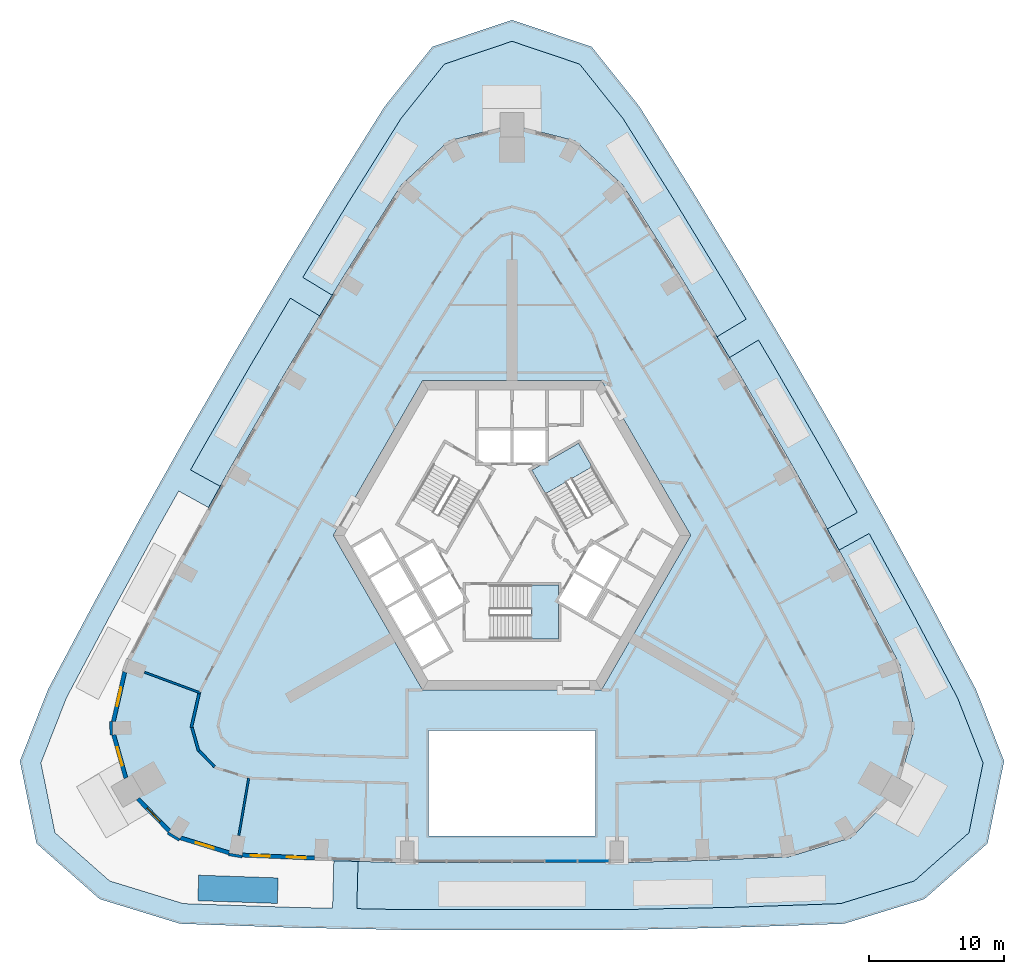
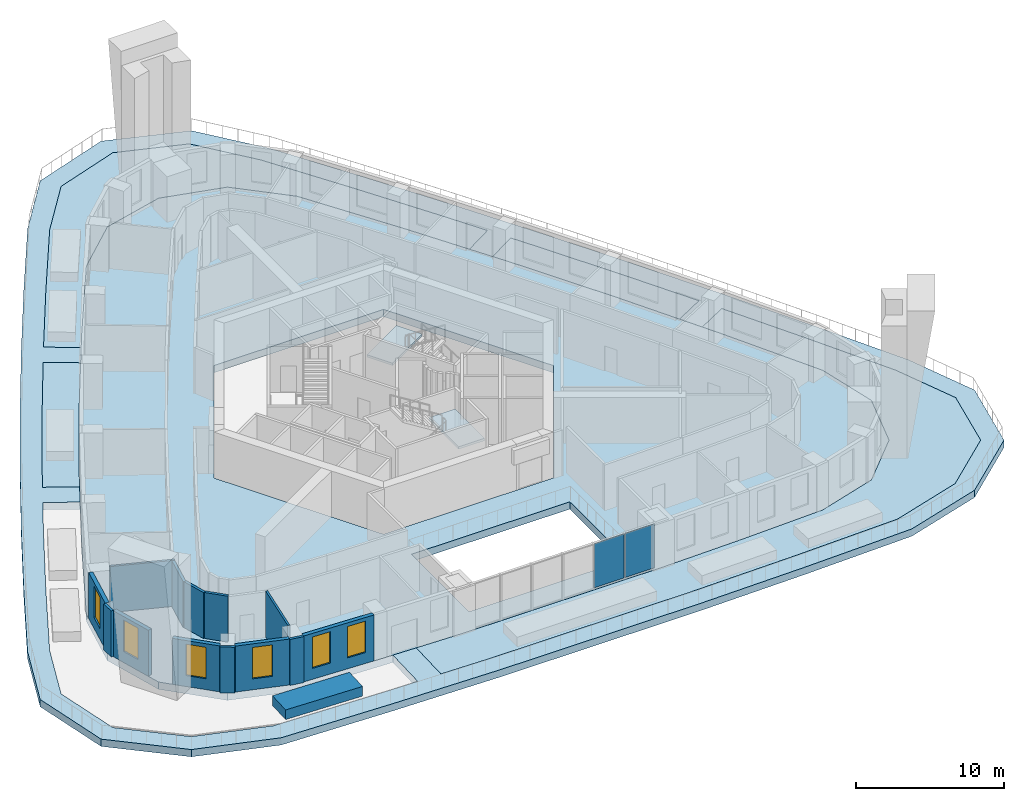
# One storey, part 3 of 13: 14 walls, 8 slabs, 6 windows, 2 plates, 6 openings, 3 elements without a shape of their own.
"""IFC4 building model written with IfcOpenShell, lengths in metres."""

from ifc_helpers import new_model, si_unit, direction, frame, frame_2d, origin, origin_2d, place, context, subcontext, project, spatial, polyline, rectangle, outline, extrude, material, layer, layer_set, type_object, element, fill, aggregate, save


model = new_model("IFC4")

# Units and contexts
model_context = context("Model", 3, precision=1e-05, world=origin(), true_north=direction((0.0, 1.0)))
body_context = subcontext(model_context, "Body", "Model", "MODEL_VIEW")
ifc_project = project(units=[si_unit("LENGTHUNIT", "METRE"), si_unit("AREAUNIT", "SQUARE_METRE"), si_unit("VOLUMEUNIT", "CUBIC_METRE"), si_unit("PLANEANGLEUNIT", "RADIAN"), si_unit("MASSUNIT", "GRAM", prefix="KILO")], contexts=[model_context])

# Site, building, storey
site_placement = place(None, origin())
site = spatial("IfcSite", under=ifc_project, at=site_placement, CompositionType="ELEMENT")
building_placement = place(site_placement, origin())
building = spatial("IfcBuilding", under=site, at=building_placement, Name="Entoto Arch Interchange Tower", CompositionType="ELEMENT")
storey_placement = place(building_placement, frame((0.0, 0.0, 189.800048828125)))
storey = spatial("IfcBuildingStorey", under=building, at=storey_placement, Name="L42", CompositionType="ELEMENT", Elevation=189.800048828125)

# Stair, slab
ifc_material_1 = material(Name="Concrete C40/50", Category="concrete")
stair_type = type_object("IfcStairType", Name="EXIT STAIR RC 1800", PredefinedType="HALF_TURN_STAIR", material=ifc_material_1)
stair_1_placement = place(storey_placement, origin())
stair_1 = element("IfcStair", 1, at=stair_1_placement, inside=storey, type_object=stair_type, Name="L42 Exit stair S", PredefinedType="HALF_TURN_STAIR")
ifc_layer_1 = layer(ifc_material_1, 0.199951171875)
ifc_layer_set_1 = layer_set([ifc_layer_1], Name="Concrete C40/50")
slab_type_1 = type_object("IfcSlabType", Name="EXIT STAIR LANDING RC 200", PredefinedType="LANDING", material=ifc_layer_set_1)
slab_1_placement = place(storey_placement, frame((0.0, 0.0, 1.89990234375)))
slab_1 = element("IfcSlab", 2, at=slab_1_placement, type_object=slab_type_1, Name="ST-S landing 1", PredefinedType="LANDING", context=body_context, shape_type="SweptSolid", body=[
    extrude(outline(polyline([(1.429931640625, -5.199951171875), (3.449951171875, -5.199951171875), (3.449951171875, -1.199951171875), (1.429931640625, -1.199951171875), (1.429931640625, -5.199951171875)])), origin(), (0.0, 0.0, 1.0), 0.199951171875),
])
aggregate(stair_1, [slab_1])

stair_2_placement = place(storey_placement, origin())
stair_2 = element("IfcStair", 3, at=stair_2_placement, inside=storey, type_object=stair_type, Name="L42 Exit stair NE", PredefinedType="HALF_TURN_STAIR")
slab_2_placement = place(storey_placement, frame((0.0, 0.0, 1.89990234375)))
slab_2 = element("IfcSlab", 4, at=slab_2_placement, type_object=slab_type_1, Name="ST-NE landing 1", PredefinedType="LANDING", context=body_context, shape_type="SweptSolid", body=[
    extrude(outline(polyline([(5.953369140625, 7.58837890625), (4.943359375, 9.337890625), (1.479248046875, 7.337890625), (2.4892578125, 5.58837890625), (5.953369140625, 7.58837890625)])), origin(), (0.0, 0.0, 1.0), 0.199951171875),
])
aggregate(stair_2, [slab_2])

# Curtain wall, plates
ifc_material_2 = material(Name="Aluminium, anodised", Category="aluminium")
curtain_wall_type = type_object("IfcCurtainWallType", Name="CURTAIN WALL ATRIUM", PredefinedType="NOTDEFINED", material=ifc_material_2)
curtain_wall_placement = place(storey_placement, origin())
curtain_wall = element("IfcCurtainWall", 5, at=curtain_wall_placement, inside=storey, type_object=curtain_wall_type, Name="Atrium glazing S-03 L42", PredefinedType="NOTDEFINED")
ifc_material_3 = material(Name="Clear glass, low-e double glazed", Category="glass")
ifc_layer_2 = layer(ifc_material_3, 0.031982421875)
ifc_layer_set_2 = layer_set([ifc_layer_2], Name="Clear glass, low-e double glazed")
plate_type = type_object("IfcPlateType", Name="GLAZING PANEL ATRIUM 32", PredefinedType="CURTAIN_PANEL", material=ifc_layer_set_2)
plate_1_placement = place(storey_placement, frame((3.6494140625, -21.701904296875, 0.080078125), z_axis=(0.0, 0.0, 1.0), x_axis=(1.0, 0.0, 0.0)))
plate_1 = element("IfcPlate", 6, at=plate_1_placement, type_object=plate_type, Name="CWA panel 5.1", PredefinedType="CURTAIN_PANEL", context=body_context, shape_type="SweptSolid", body=[
    extrude(rectangle(XDim=2.3330078125, YDim=0.031982421875, at=origin_2d()), origin(), (0.0, 0.0, 1.0), 3.639892578125),
])
plate_2_placement = place(storey_placement, frame((6.0576171875, -21.701904296875, 0.080078125), z_axis=(0.0, 0.0, 1.0), x_axis=(1.0, 0.0, 0.0)))
plate_2 = element("IfcPlate", 7, at=plate_2_placement, type_object=plate_type, Name="CWA panel 6.1", PredefinedType="CURTAIN_PANEL", context=body_context, shape_type="SweptSolid", body=[
    extrude(rectangle(XDim=2.282958984375, YDim=0.031982421875, at=origin_2d()), origin(), (0.0, 0.0, 1.0), 3.639892578125),
])
aggregate(curtain_wall, [plate_1, plate_2])

# Slabs
ifc_layer_3 = layer(ifc_material_1, 0.60009765625)
ifc_layer_set_3 = layer_set([ifc_layer_3], Name="Concrete C40/50")
slab_type_2 = type_object("IfcSlabType", Name="Post-tensioned flat plate 600 C40/50", PredefinedType="FLOOR", material=ifc_layer_set_3)
slab_3_placement = place(storey_placement, frame((0.0, 0.0, -0.60009765625)))
element("IfcSlab", 8, at=slab_3_placement, inside=storey, type_object=slab_type_2, Name="Floor slab L42", PredefinedType="FLOOR", context=body_context, shape_type="SweptSolid", body=[
    extrude(outline(polyline([(-20.569091796875, -21.39208984375), (-14.18505859375, -21.658935546875), (-7.800048828125, -21.826904296875), (7.800048828125, -21.826904296875), (14.18505859375, -21.658935546875), (20.569091796875, -21.39208984375), (25.197021484375, -19.967041015625), (28.5791015625, -16.5), (29.889892578125, -11.837890625), (28.81103515625, -7.116943359375), (24.97998046875, 0.16796875), (21.006103515625, 7.3759765625), (16.89111328125, 14.50390625), (12.635009765625, 21.549072265625), (8.241943359375, 28.510009765625), (4.693115234375, 31.804931640625), (0.0, 33.0), (-4.693115234375, 31.804931640625), (-8.241943359375, 28.510009765625), (-12.635009765625, 21.549072265625), (-16.89111328125, 14.50390625), (-21.006103515625, 7.3759765625), (-24.97998046875, 0.16796875), (-28.81103515625, -7.116943359375), (-29.889892578125, -11.837890625), (-28.5791015625, -16.5), (-25.197021484375, -19.967041015625), (-20.569091796875, -21.39208984375)]), holes=[polyline([(6.199951171875, -19.826904296875), (6.199951171875, -12.0), (-6.199951171875, -12.0), (-6.199951171875, -19.826904296875), (6.199951171875, -19.826904296875)]), polyline([(13.279052734375, 2.5), (6.639892578125, 14.0), (-6.639892578125, 14.0), (-13.279052734375, 2.5), (-6.639892578125, -9.0), (6.639892578125, -9.0), (13.279052734375, 2.5)])]), origin(), (0.0, 0.0, 1.0), 0.60009765625),
])
ifc_layer_4 = layer(ifc_material_1, 0.60009765625)
ifc_layer_set_4 = layer_set([ifc_layer_4], Name="Concrete C40/50")
slab_type_3 = type_object("IfcSlabType", Name="Post-tensioned planter bed slab 600 C40/50", PredefinedType="ROOF", material=ifc_layer_set_4)
slab_4_placement = place(storey_placement, frame((0.0, 0.0, -0.60009765625)))
element("IfcSlab", 9, at=slab_4_placement, inside=storey, type_object=slab_type_3, Name="Planter bed slab L42", PredefinedType="ROOF", context=body_context, shape_type="SweptSolid", body=[
    extrude(outline(polyline([(-7.800048828125, -21.826904296875), (-11.43994140625, -21.73095703125), (-11.531982421875, -25.240966796875), (-7.784912109375, -25.31689453125), (7.784912109375, -25.31689453125), (16.193115234375, -25.14794921875), (24.4189453125, -24.864990234375), (29.89208984375, -23.18310546875), (33.9541015625, -19.60302734375), (34.9990234375, -14.412109375), (33.10595703125, -9.580078125), (29.72509765625, -3.2099609375), (26.533935546875, 2.632080078125), (24.300048828125, 1.40087890625), (24.97998046875, 0.16796875), (28.81103515625, -7.116943359375), (29.889892578125, -11.837890625), (28.5791015625, -16.5), (25.197021484375, -19.967041015625), (20.569091796875, -21.39208984375), (14.18505859375, -21.658935546875), (7.800048828125, -21.826904296875), (-7.800048828125, -21.826904296875)])), origin(), (0.0, 0.0, 1.0), 0.60009765625),
])
slab_5_placement = place(storey_placement, frame((0.0, 0.0, -0.60009765625)))
element("IfcSlab", 10, at=slab_5_placement, inside=storey, type_object=slab_type_3, Name="Planter bed slab L42", PredefinedType="ROOF", context=body_context, shape_type="SweptSolid", body=[
    extrude(outline(polyline([(23.430908203125, 2.97705078125), (25.656982421875, 4.2041015625), (22.885986328125, 9.138916015625), (19.35693359375, 15.2509765625), (18.31494140625, 17.009033203125), (16.1630859375, 15.708984375), (16.89111328125, 14.50390625), (21.006103515625, 7.3759765625), (23.430908203125, 2.97705078125)])), origin(), (0.0, 0.0, 1.0), 0.60009765625),
])
slab_6_placement = place(storey_placement, frame((0.0, 0.0, -0.60009765625)))
element("IfcSlab", 11, at=slab_6_placement, inside=storey, type_object=slab_type_3, Name="Planter bed slab L42", PredefinedType="ROOF", context=body_context, shape_type="SweptSolid", body=[
    extrude(outline(polyline([(12.635009765625, 21.549072265625), (15.23193359375, 17.2490234375), (17.39599609375, 18.556884765625), (15.756103515625, 21.321044921875), (12.0830078125, 27.34912109375), (8.2548828125, 33.4599609375), (5.01904296875, 37.514892578125), (0.0, 39.2060546875), (-5.01904296875, 37.514892578125), (-8.2548828125, 33.4599609375), (-12.0830078125, 27.34912109375), (-15.547119140625, 21.6640625), (-13.363037109375, 20.343994140625), (-12.635009765625, 21.549072265625), (-8.241943359375, 28.510009765625), (-4.693115234375, 31.804931640625), (0.0, 33.0), (4.693115234375, 31.804931640625), (8.241943359375, 28.510009765625), (12.635009765625, 21.549072265625)])), origin(), (0.0, 0.0, 1.0), 0.60009765625),
])
slab_7_placement = place(storey_placement, frame((0.0, 0.0, -0.60009765625)))
element("IfcSlab", 12, at=slab_7_placement, inside=storey, type_object=slab_type_3, Name="Planter bed slab L42", PredefinedType="ROOF", context=body_context, shape_type="SweptSolid", body=[
    extrude(outline(polyline([(-16.89111328125, 14.50390625), (-14.29296875, 18.803955078125), (-16.469970703125, 20.118896484375), (-19.35693359375, 15.2509765625), (-22.885986328125, 9.138916015625), (-23.886962890625, 7.35693359375), (-21.68603515625, 6.14306640625), (-21.006103515625, 7.3759765625), (-16.89111328125, 14.50390625)])), origin(), (0.0, 0.0, 1.0), 0.60009765625),
])
ifc_layer_5 = layer(ifc_material_1, 0.60009765625)
ifc_layer_set_5 = layer_set([ifc_layer_5], Name="Concrete C40/50")
slab_type_4 = type_object("IfcSlabType", Name="Post-tensioned terrace slab 600 C40/50", PredefinedType="FLOOR", material=ifc_layer_set_5)
slab_8_placement = place(storey_placement, frame((0.0, 0.0, -0.60009765625)))
element("IfcSlab", 13, at=slab_8_placement, inside=storey, type_object=slab_type_4, Name="Ring terrace slab L42", PredefinedType="FLOOR", context=body_context, shape_type="SweptSolid", body=[
    extrude(outline(polyline([(-16.23388671875, -26.64697265625), (-7.800048828125, -26.81689453125), (7.800048828125, -26.81689453125), (16.23388671875, -26.64697265625), (24.6689453125, -26.35693359375), (30.64111328125, -24.52197265625), (35.324951171875, -20.39404296875), (36.556884765625, -14.27490234375), (34.470947265625, -8.952880859375), (31.0458984375, -2.4990234375), (27.654052734375, 3.7119140625), (24.18994140625, 9.881103515625), (20.652099609375, 16.009033203125), (19.59912109375, 17.783935546875), (18.679931640625, 19.33203125), (17.0419921875, 22.093994140625), (13.35888671875, 28.136962890625), (9.48095703125, 34.3291015625), (5.916015625, 38.7958984375), (0.0, 40.7890625), (-5.916015625, 38.7958984375), (-9.48095703125, 34.3291015625), (-13.35888671875, 28.136962890625), (-17.0419921875, 22.093994140625), (-20.652099609375, 16.009033203125), (-24.18994140625, 9.881103515625), (-27.654052734375, 3.7119140625), (-31.0458984375, -2.4990234375), (-34.470947265625, -8.952880859375), (-36.556884765625, -14.27490234375), (-35.324951171875, -20.39404296875), (-30.64111328125, -24.52197265625), (-24.6689453125, -26.35693359375), (-16.23388671875, -26.64697265625)]), holes=[polyline([(16.193115234375, -25.14794921875), (24.4189453125, -24.864990234375), (29.89208984375, -23.18310546875), (33.9541015625, -19.60302734375), (34.9990234375, -14.412109375), (33.10595703125, -9.580078125), (29.72509765625, -3.2099609375), (26.533935546875, 2.632080078125), (24.300048828125, 1.40087890625), (23.430908203125, 2.97705078125), (25.656982421875, 4.2041015625), (22.885986328125, 9.138916015625), (19.35693359375, 15.2509765625), (18.31494140625, 17.009033203125), (16.1630859375, 15.708984375), (15.23193359375, 17.2490234375), (17.39599609375, 18.556884765625), (15.756103515625, 21.321044921875), (12.0830078125, 27.34912109375), (8.2548828125, 33.4599609375), (5.01904296875, 37.514892578125), (0.0, 39.2060546875), (-5.01904296875, 37.514892578125), (-8.2548828125, 33.4599609375), (-12.0830078125, 27.34912109375), (-15.547119140625, 21.6640625), (-13.363037109375, 20.343994140625), (-14.29296875, 18.803955078125), (-16.469970703125, 20.118896484375), (-19.35693359375, 15.2509765625), (-22.885986328125, 9.138916015625), (-23.886962890625, 7.35693359375), (-21.68603515625, 6.14306640625), (-22.554931640625, 4.56689453125), (-24.76806640625, 5.787109375), (-26.342041015625, 2.985107421875), (-29.72509765625, -3.2099609375), (-33.10595703125, -9.580078125), (-34.9990234375, -14.412109375), (-33.9541015625, -19.60302734375), (-29.89208984375, -23.18310546875), (-24.4189453125, -24.864990234375), (-16.193115234375, -25.14794921875), (-13.33203125, -25.205078125), (-13.239013671875, -21.68408203125), (-11.43994140625, -21.73095703125), (-11.531982421875, -25.240966796875), (-7.784912109375, -25.31689453125), (7.784912109375, -25.31689453125), (16.193115234375, -25.14794921875)])]), origin(), (0.0, 0.0, 1.0), 0.60009765625),
])

# Walls
ifc_material_4 = material(Name="Gypsum board partition on steel studs", Category="steel")
ifc_layer_6 = layer(ifc_material_4, 0.14990234375)
ifc_layer_set_6 = layer_set([ifc_layer_6], Name="Gypsum board partition on steel studs")
wall_type_1 = type_object("IfcWallType", Name="PARTITION 150", PredefinedType="PARTITIONING", material=ifc_layer_set_6)
wall_1_placement = place(storey_placement, frame((-23.136962890625, -9.217041015625, 0.0), z_axis=(0.0, 0.0, 1.0), x_axis=(-0.937808569806, 0.34715282859, 0.0)))
element("IfcWall", 14, at=wall_1_placement, inside=storey, type_object=wall_type_1, Name="wall:L42:p120", PredefinedType="PARTITIONING", context=body_context, shape_type="SweptSolid", body=[
    extrude(rectangle(XDim=4.4306640625, YDim=0.14990234375, at=frame_2d((2.21533203125, 0.0))), origin(), (0.0, 0.0, 1.0), 3.800048828125),
])
wall_2_placement = place(storey_placement, frame((-19.56103515625, -15.529052734375, 0.0), z_axis=(0.0, 0.0, 1.0), x_axis=(-0.169546150064, -0.98552224886, 0.0)))
element("IfcWall", 15, at=wall_2_placement, inside=storey, type_object=wall_type_1, Name="wall:L42:p121", PredefinedType="PARTITIONING", context=body_context, shape_type="SweptSolid", body=[
    extrude(rectangle(XDim=4.32861328125, YDim=0.14990234375, at=frame_2d((2.164306640625, 0.0))), origin(), (0.0, 0.0, 1.0), 3.800048828125),
])
ifc_layer_7 = layer(ifc_material_4, 0.199951171875)
ifc_layer_set_7 = layer_set([ifc_layer_7], Name="Gypsum board partition on steel studs")
wall_type_2 = type_object("IfcWallType", Name="PARTITION 200", PredefinedType="PARTITIONING", material=ifc_layer_set_7)
wall_3_placement = place(storey_placement, frame((-22.093017578125, -14.698974609375, 0.0), z_axis=(0.0, 0.0, 1.0), x_axis=(-0.698551276451, 0.715560000397, 0.0)))
element("IfcWall", 16, at=wall_3_placement, inside=storey, type_object=wall_type_2, Name="wall:L42:p060", PredefinedType="PARTITIONING", context=body_context, shape_type="SweptSolid", body=[
    extrude(rectangle(XDim=1.63623046875, YDim=0.199951171875, at=frame_2d((0.818115234375, 0.0))), origin(), (0.0, 0.0, 1.0), 3.800048828125),
])
wall_4_placement = place(storey_placement, frame((-23.279052734375, -13.552001953125, 0.0), z_axis=(0.0, 0.0, 1.0), x_axis=(-0.270522287318, 0.962713712411, 0.0)))
element("IfcWall", 17, at=wall_4_placement, inside=storey, type_object=wall_type_2, Name="wall:L42:p061", PredefinedType="PARTITIONING", context=body_context, shape_type="SweptSolid", body=[
    extrude(rectangle(XDim=1.83642578125, YDim=0.199951171875, at=frame_2d((0.918212890625, 0.0))), origin(), (0.0, 0.0, 1.0), 3.800048828125),
])
wall_5_placement = place(storey_placement, frame((-23.825927734375, -11.784912109375, 0.0), z_axis=(0.0, 0.0, 1.0), x_axis=(0.222909903746, 0.974839050722, 0.0)))
element("IfcWall", 18, at=wall_5_placement, inside=storey, type_object=wall_type_2, Name="wall:L42:p062", PredefinedType="PARTITIONING", context=body_context, shape_type="SweptSolid", body=[
    extrude(rectangle(XDim=2.570556640625, YDim=0.199951171875, at=frame_2d((1.28515625, 0.0))), origin(), (0.0, 0.0, 1.0), 3.800048828125),
])
ifc_material_5 = material(Name="Board-marked precast concrete C50/60", Category="concrete")
ifc_layer_8 = layer(ifc_material_5, 1.89990234375)
ifc_layer_set_8 = layer_set([ifc_layer_8], Name="Board-marked precast concrete C50/60")
wall_type_3 = type_object("IfcWallType", Name="PLANTER RC 1900 Juniperus procera", PredefinedType="STANDARD", material=ifc_layer_set_8)
wall_6_placement = place(storey_placement, frame((-23.31103515625, -23.701904296875, 0.0), z_axis=(0.0, 0.0, 1.0), x_axis=(0.999408891177, -0.034378310558, 0.0)))
element("IfcWall", 19, at=wall_6_placement, inside=storey, type_object=wall_type_3, Name="Terrace planter S-01 L42", PredefinedType="STANDARD", context=body_context, shape_type="SweptSolid", body=[
    extrude(rectangle(XDim=5.908447265625, YDim=1.89990234375, at=frame_2d((2.9541015625, 0.0))), origin(), (0.0, 0.0, 1.0), 0.800048828125),
])

# Wall, openings, windows
ifc_material_6 = material(Name="Welded tuff (ignimbrite) cladding, warm buff", Category="masonry")
ifc_layer_9 = layer(ifc_material_6, 0.300048828125)
ifc_layer_set_9 = layer_set([ifc_layer_9], Name="Welded tuff (ignimbrite) cladding, warm buff")
wall_type_4 = type_object("IfcWallType", Name="STONE INFILL WALL 300", PredefinedType="STANDARD", material=ifc_layer_set_9)
wall_7_placement = place(storey_placement, frame((-20.041015625, -21.263916015625, 0.0), z_axis=(0.0, 0.0, 1.0), x_axis=(0.999127941775, -0.041753514387, 0.0)))
wall_7 = element("IfcWall", 20, at=wall_7_placement, inside=storey, type_object=wall_type_4, Name="Facade wall S-01 L42", PredefinedType="STANDARD", context=body_context, shape_type="SweptSolid", body=[
    extrude(rectangle(XDim=5.36767578125, YDim=0.300048828125, at=frame_2d((2.683837890625, 0.0))), origin(), (0.0, 0.0, 1.0), 3.800048828125),
])
opening_1_placement = place(wall_7_placement, frame((0.64208984375, 0.0, 0.89990234375)))
opening_1 = element("IfcOpeningElement", 21, at=opening_1_placement, cuts=wall_7, Name="Opening WO-B", PredefinedType="OPENING", context=body_context, shape_type="SweptSolid", body=[
    extrude(rectangle(XDim=1.39990234375, YDim=2.60009765625, at=frame_2d((0.699951171875, 1.300048828125))), frame((0.0, 0.16015625, 0.0), z_axis=(0.0, -1.0, 0.0), x_axis=(1.0, 0.0, 0.0)), (0.0, 0.0, 1.0), 0.320068359375),
])
opening_2_placement = place(wall_7_placement, frame((3.325927734375, 0.0, 0.89990234375)))
opening_2 = element("IfcOpeningElement", 22, at=opening_2_placement, cuts=wall_7, Name="Opening WO-B", PredefinedType="OPENING", context=body_context, shape_type="SweptSolid", body=[
    extrude(rectangle(XDim=1.39990234375, YDim=2.60009765625, at=frame_2d((0.699951171875, 1.300048828125))), frame((0.0, 0.16015625, 0.0), z_axis=(0.0, -1.0, 0.0), x_axis=(1.0, 0.0, 0.0)), (0.0, 0.0, 1.0), 0.320068359375),
])
window_type = type_object("IfcWindowType", Name="WINDOW WO-B 1400x2600", PartitioningType="DOUBLE_PANEL_VERTICAL", PredefinedType="WINDOW", material=ifc_material_3)
window_1_placement = place(opening_1_placement, origin())
window_1 = element("IfcWindow", 23, at=window_1_placement, inside=storey, type_object=window_type, Name="Window WO-B S-01 L42", OverallHeight=2.60009765625, OverallWidth=1.39990234375, PartitioningType="SINGLE_PANEL", PredefinedType="WINDOW", context=body_context, shape_type="SweptSolid", body=[
    extrude(rectangle(XDim=1.39990234375, YDim=2.60009765625, at=frame_2d((0.699951171875, 1.300048828125))), frame((0.0, 0.030029296875, 0.0), z_axis=(0.0, -1.0, 0.0), x_axis=(1.0, 0.0, 0.0)), (0.0, 0.0, 1.0), 0.06005859375),
])
fill(opening_1, window_1)
window_2_placement = place(opening_2_placement, origin())
window_2 = element("IfcWindow", 24, at=window_2_placement, inside=storey, type_object=window_type, Name="Window WO-B S-01 L42", OverallHeight=2.60009765625, OverallWidth=1.39990234375, PartitioningType="SINGLE_PANEL", PredefinedType="WINDOW", context=body_context, shape_type="SweptSolid", body=[
    extrude(rectangle(XDim=1.39990234375, YDim=2.60009765625, at=frame_2d((0.699951171875, 1.300048828125))), frame((0.0, 0.030029296875, 0.0), z_axis=(0.0, -1.0, 0.0), x_axis=(1.0, 0.0, 0.0)), (0.0, 0.0, 1.0), 0.06005859375),
])
fill(opening_2, window_2)

# Wall, opening, window
wall_8_placement = place(storey_placement, frame((-28.781005859375, -7.659912109375, 0.0), z_axis=(0.0, 0.0, 1.0), x_axis=(-0.223013094864, -0.974815448954, 0.0)))
wall_8 = element("IfcWall", 25, at=wall_8_placement, inside=storey, type_object=wall_type_4, Name="Facade wall SW-01 L42", PredefinedType="STANDARD", context=body_context, shape_type="SweptSolid", body=[
    extrude(rectangle(XDim=3.76708984375, YDim=0.300048828125, at=frame_2d((1.883544921875, 0.0))), origin(), (0.0, 0.0, 1.0), 3.800048828125),
])
opening_3_placement = place(wall_8_placement, frame((1.18310546875, 0.0, 0.89990234375)))
opening_3 = element("IfcOpeningElement", 26, at=opening_3_placement, cuts=wall_8, Name="Opening WO-B", PredefinedType="OPENING", context=body_context, shape_type="SweptSolid", body=[
    extrude(rectangle(XDim=1.39990234375, YDim=2.60009765625, at=frame_2d((0.699951171875, 1.300048828125))), frame((0.0, 0.16015625, 0.0), z_axis=(0.0, -1.0, 0.0), x_axis=(1.0, 0.0, 0.0)), (0.0, 0.0, 1.0), 0.320068359375),
])
window_3_placement = place(opening_3_placement, origin())
window_3 = element("IfcWindow", 27, at=window_3_placement, inside=storey, type_object=window_type, Name="Window WO-B SW-01 L42", OverallHeight=2.60009765625, OverallWidth=1.39990234375, PartitioningType="SINGLE_PANEL", PredefinedType="WINDOW", context=body_context, shape_type="SweptSolid", body=[
    extrude(rectangle(XDim=1.39990234375, YDim=2.60009765625, at=frame_2d((0.699951171875, 1.300048828125))), frame((0.0, 0.030029296875, 0.0), z_axis=(0.0, -1.0, 0.0), x_axis=(1.0, 0.0, 0.0)), (0.0, 0.0, 1.0), 0.06005859375),
])
fill(opening_3, window_3)

wall_9_placement = place(storey_placement, frame((-29.595947265625, -12.330078125, 0.0), z_axis=(0.0, 0.0, 1.0), x_axis=(0.270798765166, -0.962635979374, 0.0)))
wall_9 = element("IfcWall", 28, at=wall_9_placement, inside=storey, type_object=wall_type_4, Name="Facade wall SW-02 L42", PredefinedType="STANDARD", context=body_context, shape_type="SweptSolid", body=[
    extrude(rectangle(XDim=3.3232421875, YDim=0.300048828125, at=frame_2d((1.66162109375, 0.0))), origin(), (0.0, 0.0, 1.0), 3.800048828125),
])
opening_4_placement = place(wall_9_placement, frame((0.9619140625, 0.0, 0.89990234375)))
opening_4 = element("IfcOpeningElement", 29, at=opening_4_placement, cuts=wall_9, Name="Opening WO-B", PredefinedType="OPENING", context=body_context, shape_type="SweptSolid", body=[
    extrude(rectangle(XDim=1.39990234375, YDim=2.60009765625, at=frame_2d((0.699951171875, 1.300048828125))), frame((0.0, 0.16015625, 0.0), z_axis=(0.0, -1.0, 0.0), x_axis=(1.0, 0.0, 0.0)), (0.0, 0.0, 1.0), 0.320068359375),
])
window_4_placement = place(opening_4_placement, origin())
window_4 = element("IfcWindow", 30, at=window_4_placement, inside=storey, type_object=window_type, Name="Window WO-B SW-02 L42", OverallHeight=2.60009765625, OverallWidth=1.39990234375, PartitioningType="SINGLE_PANEL", PredefinedType="WINDOW", context=body_context, shape_type="SweptSolid", body=[
    extrude(rectangle(XDim=1.39990234375, YDim=2.60009765625, at=frame_2d((0.699951171875, 1.300048828125))), frame((0.0, 0.030029296875, 0.0), z_axis=(0.0, -1.0, 0.0), x_axis=(1.0, 0.0, 0.0)), (0.0, 0.0, 1.0), 0.06005859375),
])
fill(opening_4, window_4)

wall_10_placement = place(storey_placement, frame((-27.797119140625, -17.0869140625, 0.0), z_axis=(0.0, 0.0, 1.0), x_axis=(0.698311919602, -0.71579358962, 0.0)))
wall_10 = element("IfcWall", 31, at=wall_10_placement, inside=storey, type_object=wall_type_4, Name="Facade wall SW-03 L42", PredefinedType="STANDARD", context=body_context, shape_type="SweptSolid", body=[
    extrude(rectangle(XDim=3.32373046875, YDim=0.300048828125, at=frame_2d((1.661865234375, 0.0))), origin(), (0.0, 0.0, 1.0), 3.800048828125),
])
opening_5_placement = place(wall_10_placement, frame((0.9619140625, 0.0, 0.89990234375)))
opening_5 = element("IfcOpeningElement", 32, at=opening_5_placement, cuts=wall_10, Name="Opening WO-B", PredefinedType="OPENING", context=body_context, shape_type="SweptSolid", body=[
    extrude(rectangle(XDim=1.39990234375, YDim=2.60009765625, at=frame_2d((0.699951171875, 1.300048828125))), frame((0.0, 0.16015625, 0.0), z_axis=(0.0, -1.0, 0.0), x_axis=(1.0, 0.0, 0.0)), (0.0, 0.0, 1.0), 0.320068359375),
])
window_5_placement = place(opening_5_placement, origin())
window_5 = element("IfcWindow", 33, at=window_5_placement, inside=storey, type_object=window_type, Name="Window WO-B SW-03 L42", OverallHeight=2.60009765625, OverallWidth=1.39990234375, PartitioningType="SINGLE_PANEL", PredefinedType="WINDOW", context=body_context, shape_type="SweptSolid", body=[
    extrude(rectangle(XDim=1.39990234375, YDim=2.60009765625, at=frame_2d((0.699951171875, 1.300048828125))), frame((0.0, 0.030029296875, 0.0), z_axis=(0.0, -1.0, 0.0), x_axis=(1.0, 0.0, 0.0)), (0.0, 0.0, 1.0), 0.06005859375),
])
fill(opening_5, window_5)

wall_11_placement = place(storey_placement, frame((-24.6240234375, -19.986083984375, 0.0), z_axis=(0.0, 0.0, 1.0), x_axis=(0.955692086233, -0.29436819854, 0.0)))
wall_11 = element("IfcWall", 34, at=wall_11_placement, inside=storey, type_object=wall_type_4, Name="Facade wall SW-04 L42", PredefinedType="STANDARD", context=body_context, shape_type="SweptSolid", body=[
    extrude(rectangle(XDim=3.76708984375, YDim=0.300048828125, at=frame_2d((1.883544921875, 0.0))), origin(), (0.0, 0.0, 1.0), 3.800048828125),
])
opening_6_placement = place(wall_11_placement, frame((1.18310546875, 0.0, 0.89990234375)))
opening_6 = element("IfcOpeningElement", 35, at=opening_6_placement, cuts=wall_11, Name="Opening WO-B", PredefinedType="OPENING", context=body_context, shape_type="SweptSolid", body=[
    extrude(rectangle(XDim=1.39990234375, YDim=2.60009765625, at=frame_2d((0.699951171875, 1.300048828125))), frame((0.0, 0.16015625, 0.0), z_axis=(0.0, -1.0, 0.0), x_axis=(1.0, 0.0, 0.0)), (0.0, 0.0, 1.0), 0.320068359375),
])
window_6_placement = place(opening_6_placement, origin())
window_6 = element("IfcWindow", 36, at=window_6_placement, inside=storey, type_object=window_type, Name="Window WO-B SW-04 L42", OverallHeight=2.60009765625, OverallWidth=1.39990234375, PartitioningType="SINGLE_PANEL", PredefinedType="WINDOW", context=body_context, shape_type="SweptSolid", body=[
    extrude(rectangle(XDim=1.39990234375, YDim=2.60009765625, at=frame_2d((0.699951171875, 1.300048828125))), frame((0.0, 0.030029296875, 0.0), z_axis=(0.0, -1.0, 0.0), x_axis=(1.0, 0.0, 0.0)), (0.0, 0.0, 1.0), 0.06005859375),
])
fill(opening_6, window_6)

# Walls
ifc_layer_10 = layer(ifc_material_6, 0.199951171875)
ifc_layer_set_10 = layer_set([ifc_layer_10], Name="Welded tuff (ignimbrite) cladding, warm buff")
wall_type_5 = type_object("IfcWallType", Name="STONE PIER CLADDING 200", PredefinedType="STANDARD", material=ifc_layer_set_10)
wall_12_placement = place(storey_placement, frame((-21.044921875, -21.208984375, 0.0), z_axis=(0.0, 0.0, 1.0), x_axis=(0.985631544579, -0.168909615862, 0.0)))
element("IfcWall", 37, at=wall_12_placement, inside=storey, type_object=wall_type_5, Name="Stone pier S01 L42", PredefinedType="STANDARD", context=body_context, shape_type="SweptSolid", body=[
    extrude(rectangle(XDim=1.000244140625, YDim=0.199951171875, at=frame_2d((0.5, 0.0))), origin(), (0.0, 0.0, 1.0), 3.800048828125),
])
wall_13_placement = place(storey_placement, frame((-29.802001953125, -11.3359375, 0.0), z_axis=(0.0, 0.0, 1.0), x_axis=(0.023942303888, -0.999713341956, 0.0)))
element("IfcWall", 38, at=wall_13_placement, inside=storey, type_object=wall_type_5, Name="Stone pier SW1 L42", PredefinedType="STANDARD", context=body_context, shape_type="SweptSolid", body=[
    extrude(rectangle(XDim=0.999267578125, YDim=0.199951171875, at=frame_2d((0.49951171875, 0.0))), origin(), (0.0, 0.0, 1.0), 3.800048828125),
])
wall_14_placement = place(storey_placement, frame((-25.572021484375, -19.62109375, 0.0), z_axis=(0.0, 0.0, 1.0), x_axis=(0.853679739553, -0.520798331677, 0.0)))
element("IfcWall", 39, at=wall_14_placement, inside=storey, type_object=wall_type_5, Name="Stone pier SW3 L42", PredefinedType="STANDARD", context=body_context, shape_type="SweptSolid", body=[
    extrude(rectangle(XDim=1.00048828125, YDim=0.199951171875, at=frame_2d((0.500244140625, 0.0))), origin(), (0.0, 0.0, 1.0), 3.800048828125),
])

save(model, "model.ifc")
